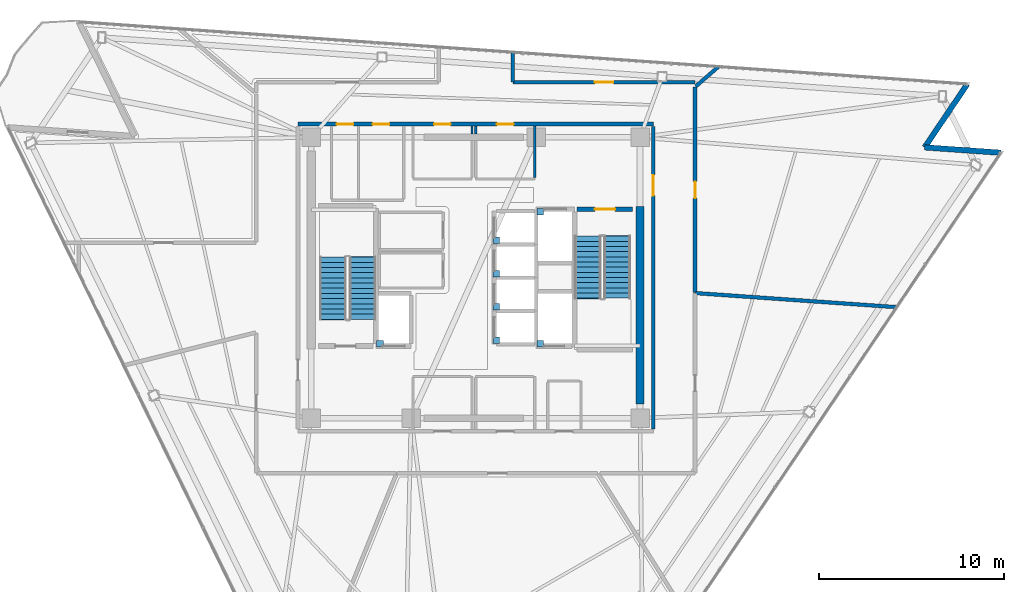
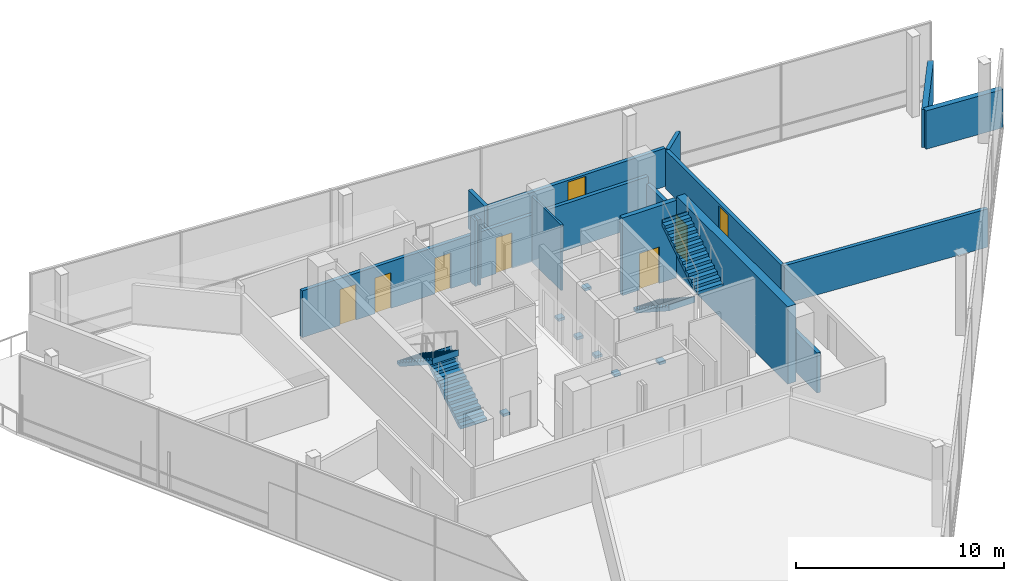
# One storey, part 11 of 13: 14 walls, 8 doors, 7 discrete accessories, 4 stair flights, 8 openings, 2 elements without a shape of their own.
"""IFC4 building model written with IfcOpenShell, lengths in metres."""

from ifc_helpers import new_model, si_unit, direction, frame, frame_2d, origin, origin_2d, place, context, subcontext, project, spatial, polyline, rectangle, outline, extrude, material, layer, layer_set, type_object, element, fill, aggregate, save


model = new_model("IFC4")

# Units and contexts
model_context = context("Model", 3, precision=1e-05, world=origin(), true_north=direction((0.0, 1.0)))
body_context = subcontext(model_context, "Body", "Model", "MODEL_VIEW")
ifc_project = project(units=[si_unit("LENGTHUNIT", "METRE"), si_unit("AREAUNIT", "SQUARE_METRE"), si_unit("VOLUMEUNIT", "CUBIC_METRE"), si_unit("PLANEANGLEUNIT", "RADIAN"), si_unit("MASSUNIT", "GRAM", prefix="KILO")], contexts=[model_context])

# Site, building, storey
site_placement = place(None, origin())
site = spatial("IfcSite", under=ifc_project, at=site_placement, CompositionType="ELEMENT")
building_placement = place(site_placement, origin())
building = spatial("IfcBuilding", under=site, at=building_placement, Name="Tharavind Bronze Gate", CompositionType="ELEMENT")
storey_placement = place(building_placement, frame((0.0, 0.0, 248.64990234375)))
storey = spatial("IfcBuildingStorey", under=building, at=storey_placement, Name="L64", CompositionType="ELEMENT", Elevation=248.64990234375)

# Walls
ifc_material_1 = material(Name="Concrete C40/50", Category="concrete")
ifc_layer_1 = layer(ifc_material_1, 0.300048828125)
ifc_layer_set_1 = layer_set([ifc_layer_1], Name="Concrete C40/50")
wall_type_1 = type_object("IfcWallType", Name="EXTERIOR SPANDREL WALL 300", PredefinedType="STANDARD", material=ifc_layer_set_1)
for number, where, z_axis, x_axis, name in (
    (1, (28.430419921875, 6.77001953125, 0.0), (0.0, 0.0, 1.0), (-0.997561808984, 0.069788518089, 0.0), "L64 notch cheek wall 3A"),
    (2, (24.3125, 7.05810546875, 0.0), (0.0, 0.0, 1.0), (0.559209737351, 0.829026217711, 0.0), "L64 notch cheek wall 3B"),
):
    element("IfcWall", number, at=place(storey_placement, frame(where, z_axis=z_axis, x_axis=x_axis)), inside=storey, type_object=wall_type_1, Name=name, PredefinedType="STANDARD", context=body_context, shape_type="SweptSolid", body=[
        extrude(rectangle(XDim=4.1279296875, YDim=0.300048828125, at=frame_2d((2.06396484375, 0.0))), origin(), (0.0, 0.0, 1.0), 2.255126953125),
    ])

# Wall, openings, doors
ifc_material_2 = material(Name="Aerated Concrete Block", Category="concrete")
ifc_layer_2 = layer(ifc_material_2, 0.199951171875)
ifc_layer_set_2 = layer_set([ifc_layer_2], Name="Aerated Concrete Block")
wall_type_2 = type_object("IfcWallType", Name="FIRE RATED PARTITION 200", PredefinedType="PARTITIONING", material=ifc_layer_set_2)
wall_1_placement = place(storey_placement, frame((9.6201171875, 8.320068359375, 0.0), z_axis=(0.0, 0.0, 1.0), x_axis=(-1.0, 0.0, 0.0)))
wall_1 = element("IfcWall", 3, at=wall_1_placement, inside=storey, type_object=wall_type_2, Name="L64 north core corridor wall", PredefinedType="PARTITIONING", context=body_context, shape_type="SweptSolid", body=[
    extrude(rectangle(XDim=19.240234375, YDim=0.199951171875, at=frame_2d((9.6201171875, 0.0))), origin(), (0.0, 0.0, 1.0), 2.755126953125),
])
opening_1_placement = place(wall_1_placement, frame((10.969970703125, 0.0, 0.0)))
opening_1 = element("IfcOpeningElement", 4, at=opening_1_placement, cuts=wall_1, Name="Opening ID07", PredefinedType="OPENING", context=body_context, shape_type="SweptSolid", body=[
    extrude(rectangle(XDim=0.89990234375, YDim=2.10009765625, at=frame_2d((0.449951171875, 1.050048828125))), frame((0.0, 0.11009765625, 0.0), z_axis=(0.0, -1.0, 0.0), x_axis=(1.0, 0.0, 0.0)), (0.0, 0.0, 1.0), 0.219951171875),
])
opening_2_placement = place(wall_1_placement, frame((7.570068359375, 0.0, 0.0)))
opening_2 = element("IfcOpeningElement", 5, at=opening_2_placement, cuts=wall_1, Name="Opening ID07", PredefinedType="OPENING", context=body_context, shape_type="SweptSolid", body=[
    extrude(rectangle(XDim=0.89990234375, YDim=2.10009765625, at=frame_2d((0.449951171875, 1.050048828125))), frame((0.0, 0.11009765625, 0.0), z_axis=(0.0, -1.0, 0.0), x_axis=(1.0, 0.0, 0.0)), (0.0, 0.0, 1.0), 0.219951171875),
])
opening_3_placement = place(wall_1_placement, frame((16.2451171875, 0.0, 0.0)))
opening_3 = element("IfcOpeningElement", 6, at=opening_3_placement, cuts=wall_1, Name="Opening ID07", PredefinedType="OPENING", context=body_context, shape_type="SweptSolid", body=[
    extrude(rectangle(XDim=0.89990234375, YDim=2.10009765625, at=frame_2d((0.449951171875, 1.050048828125))), frame((0.0, 0.11009765625, 0.0), z_axis=(0.0, -1.0, 0.0), x_axis=(1.0, 0.0, 0.0)), (0.0, 0.0, 1.0), 0.219951171875),
])
opening_4_placement = place(wall_1_placement, frame((14.294921875, 0.0, 0.0)))
opening_4 = element("IfcOpeningElement", 7, at=opening_4_placement, cuts=wall_1, Name="Opening ID07", PredefinedType="OPENING", context=body_context, shape_type="SweptSolid", body=[
    extrude(rectangle(XDim=0.89990234375, YDim=2.10009765625, at=frame_2d((0.449951171875, 1.050048828125))), frame((0.0, 0.11009765625, 0.0), z_axis=(0.0, -1.0, 0.0), x_axis=(1.0, 0.0, 0.0)), (0.0, 0.0, 1.0), 0.219951171875),
])
ifc_material_3 = material(Name="Galvanised Fire Steel", Category="steel")
door_type_1 = type_object("IfcDoorType", Name="PLANT AND RISER FIRE DOOR 900X2100", OperationType="SINGLE_SWING_LEFT", PredefinedType="DOOR", material=ifc_material_3)
door_1_placement = place(opening_1_placement, frame((0.89990234375, 0.0, 0.0), z_axis=(0.0, 0.0, 1.0), x_axis=(-1.0, 0.0, 0.0)))
door_1 = element("IfcDoor", 8, at=door_1_placement, inside=storey, type_object=door_type_1, Name="L64 Core Telemetry Room fire door", OperationType="SINGLE_SWING_LEFT", OverallHeight=2.10009765625, OverallWidth=0.89990234375, PredefinedType="DOOR", context=body_context, shape_type="SweptSolid", body=[
    extrude(rectangle(XDim=0.89990234375, YDim=2.10009765625, at=frame_2d((0.449951171875, 1.050048828125))), frame((0.0, 0.02490234375, 0.0), z_axis=(0.0, -1.0, 0.0), x_axis=(1.0, 0.0, 0.0)), (0.0, 0.0, 1.0), 0.050048828125),
])
fill(opening_1, door_1)
door_2_placement = place(opening_2_placement, frame((0.89990234375, 0.0, 0.0), z_axis=(0.0, 0.0, 1.0), x_axis=(-1.0, 0.0, 0.0)))
door_2 = element("IfcDoor", 9, at=door_2_placement, inside=storey, type_object=door_type_1, Name="L64 Core Battery Room fire door", OperationType="SINGLE_SWING_LEFT", OverallHeight=2.10009765625, OverallWidth=0.89990234375, PredefinedType="DOOR", context=body_context, shape_type="SweptSolid", body=[
    extrude(rectangle(XDim=0.89990234375, YDim=2.10009765625, at=frame_2d((0.449951171875, 1.050048828125))), frame((0.0, 0.02490234375, 0.0), z_axis=(0.0, -1.0, 0.0), x_axis=(1.0, 0.0, 0.0)), (0.0, 0.0, 1.0), 0.050048828125),
])
fill(opening_2, door_2)
door_3_placement = place(opening_3_placement, frame((0.89990234375, 0.0, 0.0), z_axis=(0.0, 0.0, 1.0), x_axis=(-1.0, 0.0, 0.0)))
door_3 = element("IfcDoor", 10, at=door_3_placement, inside=storey, type_object=door_type_1, Name="L64 Battery Backup Cupboard fire door", OperationType="SINGLE_SWING_LEFT", OverallHeight=2.10009765625, OverallWidth=0.89990234375, PredefinedType="DOOR", context=body_context, shape_type="SweptSolid", body=[
    extrude(rectangle(XDim=0.89990234375, YDim=2.10009765625, at=frame_2d((0.449951171875, 1.050048828125))), frame((0.0, 0.02490234375, 0.0), z_axis=(0.0, -1.0, 0.0), x_axis=(1.0, 0.0, 0.0)), (0.0, 0.0, 1.0), 0.050048828125),
])
fill(opening_3, door_3)
door_4_placement = place(opening_4_placement, frame((0.89990234375, 0.0, 0.0), z_axis=(0.0, 0.0, 1.0), x_axis=(-1.0, 0.0, 0.0)))
door_4 = element("IfcDoor", 11, at=door_4_placement, inside=storey, type_object=door_type_1, Name="L64 Cleaner Store Room fire door", OperationType="SINGLE_SWING_LEFT", OverallHeight=2.10009765625, OverallWidth=0.89990234375, PredefinedType="DOOR", context=body_context, shape_type="SweptSolid", body=[
    extrude(rectangle(XDim=0.89990234375, YDim=2.10009765625, at=frame_2d((0.449951171875, 1.050048828125))), frame((0.0, 0.02490234375, 0.0), z_axis=(0.0, -1.0, 0.0), x_axis=(1.0, 0.0, 0.0)), (0.0, 0.0, 1.0), 0.050048828125),
])
fill(opening_4, door_4)

# Wall, opening, door
wall_2_placement = place(storey_placement, frame((9.6201171875, -8.199951171875, 0.0), z_axis=(0.0, 0.0, 1.0), x_axis=(0.0, 1.0, 0.0)))
wall_2 = element("IfcWall", 12, at=wall_2_placement, inside=storey, type_object=wall_type_2, Name="L64 east core corridor wall", PredefinedType="PARTITIONING", context=body_context, shape_type="SweptSolid", body=[
    extrude(rectangle(XDim=16.39990234375, YDim=0.199951171875, at=frame_2d((8.199951171875, 0.0))), origin(), (0.0, 0.0, 1.0), 2.35498046875),
])
opening_5_placement = place(wall_2_placement, frame((12.64990234375, 0.0, 0.0)))
opening_5 = element("IfcOpeningElement", 13, at=opening_5_placement, cuts=wall_2, Name="Opening ID01", PredefinedType="OPENING", context=body_context, shape_type="SweptSolid", body=[
    extrude(rectangle(XDim=1.10009765625, YDim=2.14990234375, at=frame_2d((0.550048828125, 1.074951171875))), frame((0.0, 0.11009765625, 0.0), z_axis=(0.0, -1.0, 0.0), x_axis=(1.0, 0.0, 0.0)), (0.0, 0.0, 1.0), 0.219951171875),
])
ifc_material_4 = material(Name="Fire-Rated Steel", Category="steel")
door_type_2 = type_object("IfcDoorType", Name="STAIR CORE FIRE DOOR 1100X2150", OperationType="SINGLE_SWING_LEFT", PredefinedType="DOOR", material=ifc_material_4)
door_5_placement = place(opening_5_placement, frame((1.10009765625, 0.0, 0.0), z_axis=(0.0, 0.0, 1.0), x_axis=(-1.0, 0.0, 0.0)))
door_5 = element("IfcDoor", 14, at=door_5_placement, inside=storey, type_object=door_type_2, Name="L64 north east stair lobby fire door", OperationType="SINGLE_SWING_LEFT", OverallHeight=2.14990234375, OverallWidth=1.10009765625, PredefinedType="DOOR", context=body_context, shape_type="SweptSolid", body=[
    extrude(rectangle(XDim=1.10009765625, YDim=2.14990234375, at=frame_2d((0.550048828125, 1.074951171875))), frame((0.0, 0.02490234375, 0.0), z_axis=(0.0, -1.0, 0.0), x_axis=(1.0, 0.0, 0.0)), (0.0, 0.0, 1.0), 0.050048828125),
])
fill(opening_5, door_5)

# Walls
wall_3_placement = place(storey_placement, frame((11.90673828125, -0.83251953125, 0.0), z_axis=(0.0, 0.0, 1.0), x_axis=(0.997563922113, -0.069758306305, 0.0)))
element("IfcWall", 15, at=wall_3_placement, inside=storey, type_object=wall_type_2, Name="L64 Public Restrooms Block partition", PredefinedType="PARTITIONING", context=body_context, shape_type="SweptSolid", body=[
    extrude(rectangle(XDim=10.908935546875, YDim=0.199951171875, at=frame_2d((5.45458984375, 0.0))), origin(), (0.0, 0.0, 1.0), 2.255126953125),
])
wall_4_placement = place(storey_placement, frame((13.140380859375, 11.4228515625, 0.0), z_axis=(0.0, 0.0, 1.0), x_axis=(-0.754660835824, -0.6561150988, 0.0)))
element("IfcWall", 16, at=wall_4_placement, inside=storey, type_object=wall_type_2, Name="L64 Cloud Engineering Open Office partition", PredefinedType="PARTITIONING", context=body_context, shape_type="SweptSolid", body=[
    extrude(rectangle(XDim=1.615234375, YDim=0.199951171875, at=frame_2d((0.8076171875, 0.0))), origin(), (0.0, 0.0, 1.0), 2.255126953125),
])

# Wall, opening, door
wall_5_placement = place(storey_placement, frame((11.87939453125, 10.580078125, 0.0), z_axis=(0.0, 0.0, 1.0), x_axis=(-1.0, 0.0, 0.0)))
wall_5 = element("IfcWall", 17, at=wall_5_placement, inside=storey, type_object=wall_type_2, Name="L64 Cloud Engineering Open Office partition", PredefinedType="PARTITIONING", context=body_context, shape_type="SweptSolid", body=[
    extrude(rectangle(XDim=9.8544921875, YDim=0.199951171875, at=frame_2d((4.92724609375, 0.0))), origin(), (0.0, 0.0, 1.0), 2.255126953125),
])
opening_6_placement = place(wall_5_placement, frame((4.427001953125, 0.0, 0.0)))
opening_6 = element("IfcOpeningElement", 18, at=opening_6_placement, cuts=wall_5, Name="Opening ID04", PredefinedType="OPENING", context=body_context, shape_type="SweptSolid", body=[
    extrude(rectangle(XDim=1.0, YDim=2.14990234375, at=frame_2d((0.5, 1.074951171875))), frame((0.0, 0.11009765625, 0.0), z_axis=(0.0, -1.0, 0.0), x_axis=(1.0, 0.0, 0.0)), (0.0, 0.0, 1.0), 0.219951171875),
])
ifc_material_5 = material(Name="Bronze Framed Acoustic Timber", Category="wood")
door_type_3 = type_object("IfcDoorType", Name="OFFICE TENANCY DOOR 1000X2150", OperationType="SINGLE_SWING_RIGHT", PredefinedType="DOOR", material=ifc_material_5)
door_6_placement = place(opening_6_placement, origin())
door_6 = element("IfcDoor", 19, at=door_6_placement, inside=storey, type_object=door_type_3, Name="L64 Cloud Engineering Open Office door", OperationType="SINGLE_SWING_RIGHT", OverallHeight=2.14990234375, OverallWidth=1.0, PredefinedType="DOOR", context=body_context, shape_type="SweptSolid", body=[
    extrude(rectangle(XDim=1.0, YDim=2.14990234375, at=frame_2d((0.5, 1.074951171875))), frame((0.0, 0.02490234375, 0.0), z_axis=(0.0, -1.0, 0.0), x_axis=(1.0, 0.0, 0.0)), (0.0, 0.0, 1.0), 0.050048828125),
])
fill(opening_6, door_6)

# Wall
wall_6_placement = place(storey_placement, frame((2.0, 10.60498046875, 0.0), z_axis=(0.0, 0.0, 1.0), x_axis=(0.0, 1.0, 0.0)))
element("IfcWall", 20, at=wall_6_placement, inside=storey, type_object=wall_type_2, Name="L64 Cloud Engineering Open Office partition", PredefinedType="PARTITIONING", context=body_context, shape_type="SweptSolid", body=[
    extrude(rectangle(XDim=1.596923828125, YDim=0.199951171875, at=frame_2d((0.79833984375, 0.0))), origin(), (0.0, 0.0, 1.0), 2.255126953125),
])

# Wall, opening, door
wall_7_placement = place(storey_placement, frame((11.8798828125, -0.807373046875, 0.0), z_axis=(0.0, 0.0, 1.0), x_axis=(0.0, 1.0, 0.0)))
wall_7 = element("IfcWall", 21, at=wall_7_placement, inside=storey, type_object=wall_type_2, Name="L64 Barista Tea Pantry partition", PredefinedType="PARTITIONING", context=body_context, shape_type="SweptSolid", body=[
    extrude(rectangle(XDim=11.123046875, YDim=0.199951171875, at=frame_2d((5.5615234375, 0.0))), origin(), (0.0, 0.0, 1.0), 2.255126953125),
])
opening_7_placement = place(wall_7_placement, frame((5.112060546875, 0.0, 0.0)))
opening_7 = element("IfcOpeningElement", 22, at=opening_7_placement, cuts=wall_7, Name="Opening ID07", PredefinedType="OPENING", context=body_context, shape_type="SweptSolid", body=[
    extrude(rectangle(XDim=0.89990234375, YDim=2.10009765625, at=frame_2d((0.449951171875, 1.050048828125))), frame((0.0, 0.11009765625, 0.0), z_axis=(0.0, -1.0, 0.0), x_axis=(1.0, 0.0, 0.0)), (0.0, 0.0, 1.0), 0.219951171875),
])
door_7_placement = place(opening_7_placement, origin())
door_7 = element("IfcDoor", 23, at=door_7_placement, inside=storey, type_object=door_type_1, Name="L64 Barista Tea Pantry door", OperationType="SINGLE_SWING_LEFT", OverallHeight=2.10009765625, OverallWidth=0.89990234375, PredefinedType="DOOR", context=body_context, shape_type="SweptSolid", body=[
    extrude(rectangle(XDim=0.89990234375, YDim=2.10009765625, at=frame_2d((0.449951171875, 1.050048828125))), frame((0.0, 0.02490234375, 0.0), z_axis=(0.0, -1.0, 0.0), x_axis=(1.0, 0.0, 0.0)), (0.0, 0.0, 1.0), 0.050048828125),
])
fill(opening_7, door_7)

# Walls
ifc_material_6 = material(Name="Metal Stud Gypsum Partition", Category="gypsum")
ifc_layer_3 = layer(ifc_material_6, 0.1201171875)
ifc_layer_set_3 = layer_set([ifc_layer_3], Name="Metal Stud Gypsum Partition")
wall_type_3 = type_object("IfcWallType", Name="INTERIOR PARTITION WALL 120", PredefinedType="PARTITIONING", material=ifc_layer_set_3)
wall_8_placement = place(storey_placement, frame((-0.199951171875, 7.780029296875, 0.0), z_axis=(0.0, 0.0, 1.0), x_axis=(0.0, 1.0, 0.0)))
element("IfcWall", 24, at=wall_8_placement, inside=storey, type_object=wall_type_3, Name="L64 Core Telemetry Room partition 2", PredefinedType="PARTITIONING", context=body_context, shape_type="SweptSolid", body=[
    extrude(rectangle(XDim=0.43505859375, YDim=0.1201171875, at=frame_2d((0.217529296875, 0.0))), origin(), (0.0, 0.0, 1.0), 3.85498046875),
])
wall_9_placement = place(storey_placement, frame((3.199951171875, 5.4150390625, 0.0), z_axis=(0.0, 0.0, 1.0), x_axis=(0.0, 1.0, 0.0)))
element("IfcWall", 25, at=wall_9_placement, inside=storey, type_object=wall_type_3, Name="L64 Core Battery Room partition 2", PredefinedType="PARTITIONING", context=body_context, shape_type="SweptSolid", body=[
    extrude(rectangle(XDim=2.800048828125, YDim=0.1201171875, at=frame_2d((1.39990234375, 0.0))), origin(), (0.0, 0.0, 1.0), 3.85498046875),
])
wall_10_placement = place(storey_placement, frame((0.0, 8.215087890625, 0.0), z_axis=(0.0, 0.0, 1.0), x_axis=(0.0, -1.0, 0.0)))
element("IfcWall", 26, at=wall_10_placement, inside=storey, type_object=wall_type_3, Name="L64 Core Battery Room partition 4", PredefinedType="PARTITIONING", context=body_context, shape_type="SweptSolid", body=[
    extrude(rectangle(XDim=0.43505859375, YDim=0.1201171875, at=frame_2d((0.217529296875, 0.0))), origin(), (0.0, 0.0, 1.0), 3.85498046875),
])

# Wall, opening, door
ifc_material_7 = material(Name="Concrete C50/60", Category="concrete")
ifc_layer_4 = layer(ifc_material_7, 0.25)
ifc_layer_set_4 = layer_set([ifc_layer_4], Name="Concrete C50/60")
wall_type_4 = type_object("IfcWallType", Name="RC CORE SHEAR WALL 250", PredefinedType="SHEAR", material=ifc_layer_set_4)
wall_11_placement = place(storey_placement, frame((5.5, 3.699951171875, 0.0), z_axis=(0.0, 0.0, 1.0), x_axis=(1.0, 0.0, 0.0)))
wall_11 = element("IfcWall", 27, at=wall_11_placement, inside=storey, type_object=wall_type_4, Name="L64 ST2 shaft north wall", PredefinedType="SHEAR", context=body_context, shape_type="SweptSolid", body=[
    extrude(rectangle(XDim=3.0, YDim=0.25, at=frame_2d((1.5, 0.0))), origin(), (0.0, 0.0, 1.0), 4.56005859375),
])
opening_8_placement = place(wall_11_placement, frame((0.949951171875, 0.0, 0.0)))
opening_8 = element("IfcOpeningElement", 28, at=opening_8_placement, cuts=wall_11, Name="Opening ID01", PredefinedType="OPENING", context=body_context, shape_type="SweptSolid", body=[
    extrude(rectangle(XDim=1.10009765625, YDim=2.14990234375, at=frame_2d((0.550048828125, 1.074951171875))), frame((0.0, 0.135, 0.0), z_axis=(0.0, -1.0, 0.0), x_axis=(1.0, 0.0, 0.0)), (0.0, 0.0, 1.0), 0.27),
])
door_8_placement = place(opening_8_placement, frame((1.10009765625, 0.0, 0.0), z_axis=(0.0, 0.0, 1.0), x_axis=(-1.0, 0.0, 0.0)))
door_8 = element("IfcDoor", 29, at=door_8_placement, inside=storey, type_object=door_type_2, Name="L64 exit stair ST2 fire door", OperationType="SINGLE_SWING_LEFT", OverallHeight=2.14990234375, OverallWidth=1.10009765625, PredefinedType="DOOR", context=body_context, shape_type="SweptSolid", body=[
    extrude(rectangle(XDim=1.10009765625, YDim=2.14990234375, at=frame_2d((0.550048828125, 1.074951171875))), frame((0.0, 0.02490234375, 0.0), z_axis=(0.0, -1.0, 0.0), x_axis=(1.0, 0.0, 0.0)), (0.0, 0.0, 1.0), 0.050048828125),
])
fill(opening_8, door_8)

# Wall
ifc_material_8 = material(Name="Concrete C60/75", Category="concrete")
ifc_layer_5 = layer(ifc_material_8, 0.449951171875)
ifc_layer_set_5 = layer_set([ifc_layer_5], Name="Concrete C60/75")
wall_type_5 = type_object("IfcWallType", Name="RC CORE SHEAR WALL 450", PredefinedType="SHEAR", material=ifc_layer_set_5)
wall_12_placement = place(storey_placement, frame((8.89990234375, -6.85009765625, 0.0), z_axis=(0.0, 0.0, 1.0), x_axis=(0.0, 1.0, 0.0)))
element("IfcWall", 30, at=wall_12_placement, inside=storey, type_object=wall_type_5, Name="L64 east core shear wall", PredefinedType="SHEAR", context=body_context, shape_type="SweptSolid", body=[
    extrude(rectangle(XDim=10.7001953125, YDim=0.449951171875, at=frame_2d((5.35009765625, 0.0))), origin(), (0.0, 0.0, 1.0), 4.56005859375),
])

# Stair, stair flights
stair_type = type_object("IfcStairType", Name="CORE HALF TURN STAIR 1450", PredefinedType="HALF_TURN_STAIR", material=ifc_material_1)
stair_1_placement = place(storey_placement, origin())
stair_1 = element("IfcStair", 31, at=stair_1_placement, inside=storey, type_object=stair_type, Name="L64 Protected Exit Stair ST1", PredefinedType="HALF_TURN_STAIR")
stair_flight_type = type_object("IfcStairFlightType", Name="CORE STAIR FLIGHT 1450", PredefinedType="STRAIGHT", material=ifc_material_1)
stair_flight_1_placement = place(storey_placement, frame((-6.125, -2.25, 0.0), z_axis=(0.0, 0.0, 1.0), x_axis=(0.0, 1.0, 0.0)))
stair_flight_1 = element("IfcStairFlight", 32, at=stair_flight_1_placement, type_object=stair_flight_type, Name="ST1 flight 1", NumberOfRisers=13, NumberOfTreads=12, PredefinedType="STRAIGHT", RiserHeight=0.182692308, TreadLength=0.28, context=body_context, shape_type="SweptSolid", body=[
    extrude(outline(polyline([(0.0, 0.0), (0.0, 0.1826171875), (0.280029296875, 0.1826171875), (0.280029296875, 0.365478515625), (0.56005859375, 0.365478515625), (0.56005859375, 0.548095703125), (0.840087890625, 0.548095703125), (0.840087890625, 0.730712890625), (1.1201171875, 0.730712890625), (1.1201171875, 0.91357421875), (1.39990234375, 0.91357421875), (1.39990234375, 1.09619140625), (1.679931640625, 1.09619140625), (1.679931640625, 1.27880859375), (1.9599609375, 1.27880859375), (1.9599609375, 1.46142578125), (2.239990234375, 1.46142578125), (2.239990234375, 1.644287109375), (2.52001953125, 1.644287109375), (2.52001953125, 1.826904296875), (2.800048828125, 1.826904296875), (2.800048828125, 2.009521484375), (3.080078125, 2.009521484375), (3.080078125, 2.1923828125), (3.360107421875, 2.1923828125), (3.360107421875, 2.375), (3.39599609375, 2.375), (3.39599609375, 2.013427734375), (0.2744140625, 0.0), (0.0, 0.0)])), frame((0.0, 0.72509765625, 0.0), z_axis=(0.0, -1.0, 0.0), x_axis=(1.0, 0.0, 0.0)), (0.0, 0.0, 1.0), 1.449951171875),
])
stair_flight_2_placement = place(storey_placement, frame((-7.72509765625, 1.110107421875, 2.375), z_axis=(0.0, 0.0, 1.0), x_axis=(0.0, -1.0, 0.0)))
stair_flight_2 = element("IfcStairFlight", 33, at=stair_flight_2_placement, type_object=stair_flight_type, Name="ST1 flight 2", NumberOfRisers=13, NumberOfTreads=12, PredefinedType="STRAIGHT", RiserHeight=0.182692308, TreadLength=0.28, context=body_context, shape_type="SweptSolid", body=[
    extrude(outline(polyline([(0.0, 0.0), (0.0, 0.1826171875), (0.280029296875, 0.1826171875), (0.280029296875, 0.365478515625), (0.56005859375, 0.365478515625), (0.56005859375, 0.548095703125), (0.840087890625, 0.548095703125), (0.840087890625, 0.730712890625), (1.1201171875, 0.730712890625), (1.1201171875, 0.91357421875), (1.39990234375, 0.91357421875), (1.39990234375, 1.09619140625), (1.679931640625, 1.09619140625), (1.679931640625, 1.27880859375), (1.9599609375, 1.27880859375), (1.9599609375, 1.46142578125), (2.239990234375, 1.46142578125), (2.239990234375, 1.644287109375), (2.52001953125, 1.644287109375), (2.52001953125, 1.826904296875), (2.800048828125, 1.826904296875), (2.800048828125, 2.009521484375), (3.080078125, 2.009521484375), (3.080078125, 2.1923828125), (3.360107421875, 2.1923828125), (3.360107421875, 2.375), (3.39599609375, 2.375), (3.39599609375, 2.013427734375), (0.2744140625, 0.0), (0.0, 0.0)])), frame((0.0, 0.72509765625, 0.0), z_axis=(0.0, -1.0, 0.0), x_axis=(1.0, 0.0, 0.0)), (0.0, 0.0, 1.0), 1.449951171875),
])
aggregate(stair_1, [stair_flight_1, stair_flight_2])

stair_2_placement = place(storey_placement, origin())
stair_2 = element("IfcStair", 34, at=stair_2_placement, inside=storey, type_object=stair_type, Name="L64 Protected Exit Stair ST2", PredefinedType="HALF_TURN_STAIR")
stair_flight_3_placement = place(storey_placement, frame((6.074951171875, 2.25, 0.0), z_axis=(0.0, 0.0, 1.0), x_axis=(0.0, -1.0, 0.0)))
stair_flight_3 = element("IfcStairFlight", 35, at=stair_flight_3_placement, type_object=stair_flight_type, Name="ST2 flight 1", NumberOfRisers=13, NumberOfTreads=12, PredefinedType="STRAIGHT", RiserHeight=0.182692308, TreadLength=0.28, context=body_context, shape_type="SweptSolid", body=[
    extrude(outline(polyline([(0.0, 0.0), (0.0, 0.1826171875), (0.280029296875, 0.1826171875), (0.280029296875, 0.365478515625), (0.56005859375, 0.365478515625), (0.56005859375, 0.548095703125), (0.840087890625, 0.548095703125), (0.840087890625, 0.730712890625), (1.1201171875, 0.730712890625), (1.1201171875, 0.91357421875), (1.39990234375, 0.91357421875), (1.39990234375, 1.09619140625), (1.679931640625, 1.09619140625), (1.679931640625, 1.27880859375), (1.9599609375, 1.27880859375), (1.9599609375, 1.46142578125), (2.239990234375, 1.46142578125), (2.239990234375, 1.644287109375), (2.52001953125, 1.644287109375), (2.52001953125, 1.826904296875), (2.800048828125, 1.826904296875), (2.800048828125, 2.009521484375), (3.080078125, 2.009521484375), (3.080078125, 2.1923828125), (3.360107421875, 2.1923828125), (3.360107421875, 2.375), (3.39599609375, 2.375), (3.39599609375, 2.013427734375), (0.2744140625, 0.0), (0.0, 0.0)])), frame((0.0, 0.72509765625, 0.0), z_axis=(0.0, -1.0, 0.0), x_axis=(1.0, 0.0, 0.0)), (0.0, 0.0, 1.0), 1.449951171875),
])
stair_flight_4_placement = place(storey_placement, frame((7.675048828125, -1.110107421875, 2.375), z_axis=(0.0, 0.0, 1.0), x_axis=(0.0, 1.0, 0.0)))
stair_flight_4 = element("IfcStairFlight", 36, at=stair_flight_4_placement, type_object=stair_flight_type, Name="ST2 flight 2", NumberOfRisers=13, NumberOfTreads=12, PredefinedType="STRAIGHT", RiserHeight=0.182692308, TreadLength=0.28, context=body_context, shape_type="SweptSolid", body=[
    extrude(outline(polyline([(0.0, 0.0), (0.0, 0.1826171875), (0.280029296875, 0.1826171875), (0.280029296875, 0.365478515625), (0.56005859375, 0.365478515625), (0.56005859375, 0.548095703125), (0.840087890625, 0.548095703125), (0.840087890625, 0.730712890625), (1.1201171875, 0.730712890625), (1.1201171875, 0.91357421875), (1.39990234375, 0.91357421875), (1.39990234375, 1.09619140625), (1.679931640625, 1.09619140625), (1.679931640625, 1.27880859375), (1.9599609375, 1.27880859375), (1.9599609375, 1.46142578125), (2.239990234375, 1.46142578125), (2.239990234375, 1.644287109375), (2.52001953125, 1.644287109375), (2.52001953125, 1.826904296875), (2.800048828125, 1.826904296875), (2.800048828125, 2.009521484375), (3.080078125, 2.009521484375), (3.080078125, 2.1923828125), (3.360107421875, 2.1923828125), (3.360107421875, 2.375), (3.39599609375, 2.375), (3.39599609375, 2.013427734375), (0.2744140625, 0.0), (0.0, 0.0)])), frame((0.0, 0.72509765625, 0.0), z_axis=(0.0, -1.0, 0.0), x_axis=(1.0, 0.0, 0.0)), (0.0, 0.0, 1.0), 1.449951171875),
])
aggregate(stair_2, [stair_flight_3, stair_flight_4])

# Discrete accessories
ifc_material_9 = material(Name="Galvanised Steel S355", Category="steel")
discrete_accessory_type = type_object("IfcDiscreteAccessoryType", Name="LIFT GUIDE RAIL BRACKET", PredefinedType="BRACKET", material=ifc_material_9)
for number, where, z_axis, x_axis, name in (
    (37, (1.1201171875, -3.3798828125, 1.1201171875), (0.0, 0.0, 1.0), (1.0, 0.0, 0.0), "Lift PL9 guide rail bracket at L64"),
    (38, (1.1201171875, -1.580078125, 1.1201171875), (0.0, 0.0, 1.0), (1.0, 0.0, 0.0), "Lift PL10 guide rail bracket at L64"),
    (39, (1.1201171875, 0.219970703125, 1.1201171875), (0.0, 0.0, 1.0), (1.0, 0.0, 0.0), "Lift PL11 guide rail bracket at L64"),
    (40, (1.1201171875, 2.02001953125, 1.1201171875), (0.0, 0.0, 1.0), (1.0, 0.0, 0.0), "Lift PL12 guide rail bracket at L64"),
    (41, (-5.179931640625, -3.580078125, 1.1201171875), (0.0, 0.0, 1.0), (1.0, 0.0, 0.0), "Lift FFL1 guide rail bracket at L64"),
    (42, (3.5, 3.580078125, 1.1201171875), (0.0, 0.0, 1.0), (1.0, 0.0, 0.0), "Lift FFL2 guide rail bracket at L64"),
    (43, (3.5, -3.580078125, 1.1201171875), (0.0, 0.0, 1.0), (1.0, 0.0, 0.0), "Lift SVL1 guide rail bracket at L64"),
):
    element("IfcDiscreteAccessory", number, at=place(storey_placement, frame(where, z_axis=z_axis, x_axis=x_axis)), inside=storey, type_object=discrete_accessory_type, Name=name, PredefinedType="BRACKET", context=body_context, shape_type="SweptSolid", body=[
        extrude(rectangle(XDim=0.360107421875, YDim=0.360107421875, at=origin_2d()), origin(), (0.0, 0.0, 1.0), 0.159912109375),
    ])

save(model, "model.ifc")
